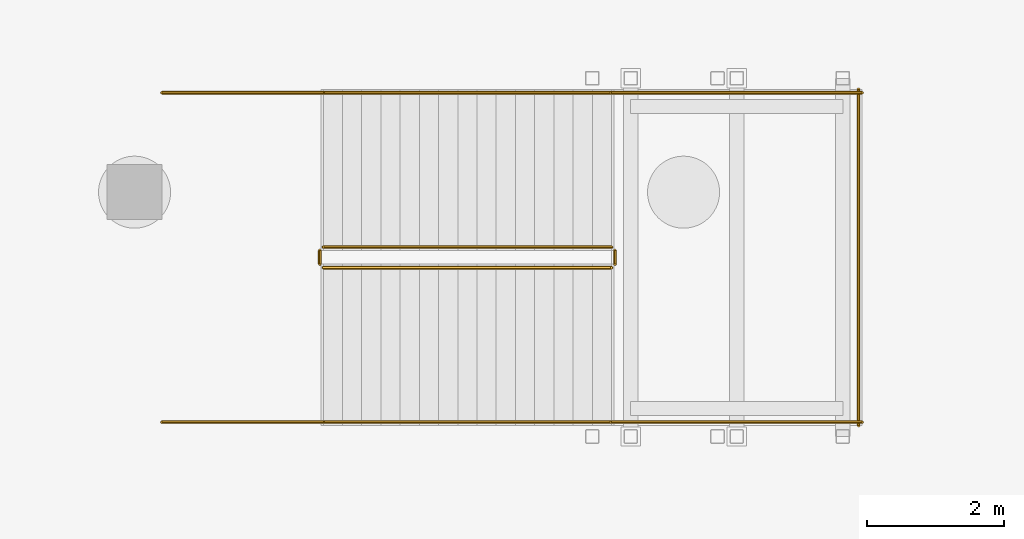
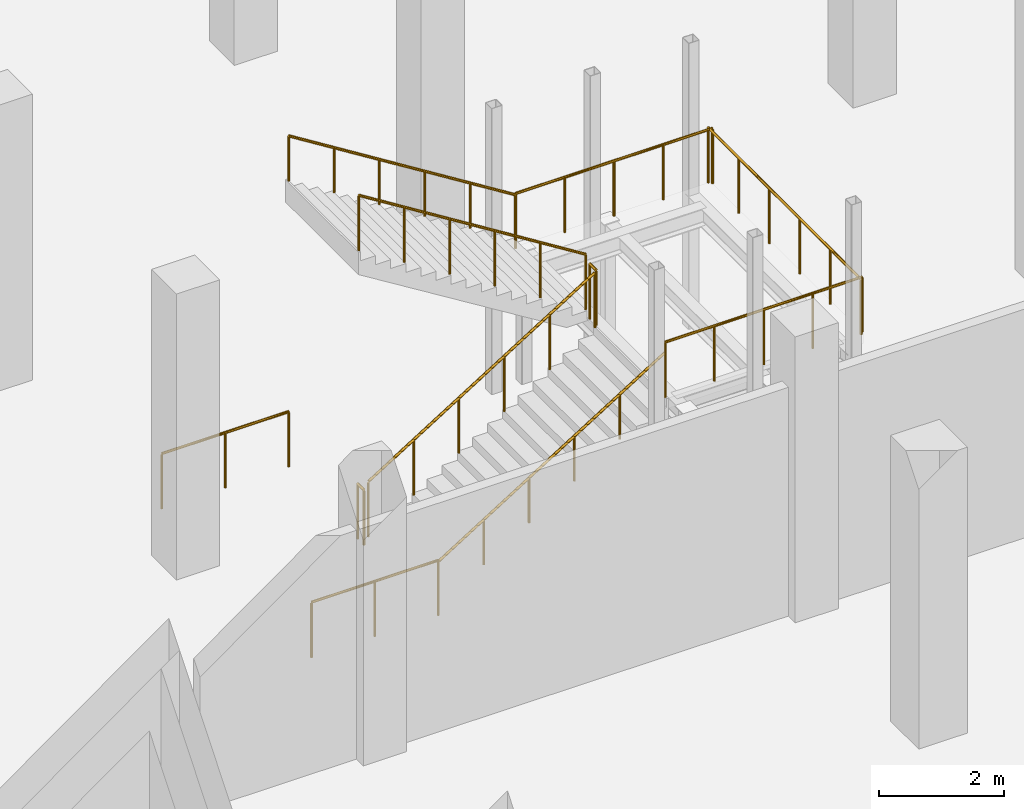
# One storey, part 21 of 26: 11 railings.
"""IFC4 building model written with IfcOpenShell, lengths in metres."""

from ifc_helpers import new_model, si_unit, direction, frame, origin, origin_2d, place, context, subcontext, project, spatial, circle, extrude, material, type_object, element, save


model = new_model("IFC4")

# Units and contexts
model_context = context("Model", 3, precision=1e-05, world=origin(), true_north=direction((0.0, 1.0)))
body_context = subcontext(model_context, "Body", "Model", "MODEL_VIEW")
ifc_project = project(units=[si_unit("LENGTHUNIT", "METRE"), si_unit("AREAUNIT", "SQUARE_METRE"), si_unit("VOLUMEUNIT", "CUBIC_METRE"), si_unit("PLANEANGLEUNIT", "RADIAN"), si_unit("MASSUNIT", "GRAM", prefix="KILO")], contexts=[model_context])

# Site, building, storey
site_placement = place(None, origin())
site = spatial("IfcSite", under=ifc_project, at=site_placement, CompositionType="ELEMENT")
building_placement = place(site_placement, origin())
building = spatial("IfcBuilding", under=site, at=building_placement, Name="Verrall Gate Interchange", CompositionType="ELEMENT")
storey_placement = place(building_placement, frame((0.0, 0.0, -10.39990234375)))
storey = spatial("IfcBuildingStorey", under=building, at=storey_placement, Name="B2", CompositionType="ELEMENT", Elevation=-10.39990234375)

# Railings
ifc_material_1 = material(Name="Brushed Stainless-Steel Guardrail and Handrail System", Category="steel")
railing_type_1 = type_object("IfcRailingType", Name="GR-02 Interior Atrium and Stair Guardrail 1100", PredefinedType="GUARDRAIL", material=ifc_material_1)
railing_1_placement = place(storey_placement, frame((54.75, 20.89990234375, 0.1748046875)))
element("IfcRailing", 1, at=railing_1_placement, inside=storey, type_object=railing_type_1, Name="B2 ST-10 stair guard 1", PredefinedType="GUARDRAIL", context=body_context, shape_type="SweptSolid", body=[
    extrude(circle(Radius=0.02392578125, at=origin_2d()), frame((0.0, 0.0, 1.076171875), z_axis=(0.847995534698, 0.0, 0.530003370869), x_axis=(0.0, 1.0, 0.0)), (0.0, 0.0, 1.0), 4.952880859375),
    extrude(circle(Radius=0.02099609375, at=origin_2d()), origin(), (0.0, 0.0, 1.0), 1.052001953125),
    extrude(circle(Radius=0.02099609375, at=origin_2d()), frame((0.840087890625, 0.0, 0.52490234375)), (0.0, 0.0, 1.0), 1.052001953125),
    extrude(circle(Radius=0.02099609375, at=origin_2d()), frame((1.679931640625, 0.0, 1.050048828125)), (0.0, 0.0, 1.0), 1.052001953125),
    extrude(circle(Radius=0.02099609375, at=origin_2d()), frame((2.52001953125, 0.0, 1.574951171875)), (0.0, 0.0, 1.0), 1.052001953125),
    extrude(circle(Radius=0.02099609375, at=origin_2d()), frame((3.35986328125, 0.0, 2.10009765625)), (0.0, 0.0, 1.0), 1.052001953125),
    extrude(circle(Radius=0.02099609375, at=origin_2d()), frame((4.199951171875, 0.0, 2.625)), (0.0, 0.0, 1.0), 1.052001953125),
])
railing_2_placement = place(storey_placement, frame((59.0, 20.949951171875, 2.7998046875)))
element("IfcRailing", 2, at=railing_2_placement, inside=storey, type_object=railing_type_1, Name="B2 ST-10 stair guard 2", PredefinedType="GUARDRAIL", context=body_context, shape_type="SweptSolid", body=[
    extrude(circle(Radius=0.02392578125, at=origin_2d()), frame((0.0, 0.0, 1.076171875), z_axis=(0.0, 1.0, 0.0), x_axis=(-1.0, 0.0, 0.0)), (0.0, 0.0, 1.0), 0.199951171875),
    extrude(circle(Radius=0.02099609375, at=origin_2d()), origin(), (0.0, 0.0, 1.0), 1.052001953125),
    extrude(circle(Radius=0.02099609375, at=origin_2d()), frame((0.0, 0.199951171875, 0.0)), (0.0, 0.0, 1.0), 1.052001953125),
])
for number, where, name in (
    (3, (58.949951171875, 18.64990234375, 2.7998046875), "B2 ST-10 stair guard 3"),
    (4, (58.949951171875, 23.449951171875, 2.7998046875), "B2 ST-10 stair guard 4"),
):
    element("IfcRailing", number, at=place(storey_placement, frame(where)), inside=storey, type_object=railing_type_1, Name=name, PredefinedType="GUARDRAIL", context=body_context, shape_type="SweptSolid", body=[
        extrude(circle(Radius=0.02392578125, at=origin_2d()), frame((0.0, 0.0, 1.076171875), z_axis=(1.0, 0.0, 0.0), x_axis=(0.0, 1.0, 0.0)), (0.0, 0.0, 1.0), 3.650146484375),
        extrude(circle(Radius=0.02099609375, at=origin_2d()), origin(), (0.0, 0.0, 1.0), 1.052001953125),
        extrude(circle(Radius=0.02099609375, at=origin_2d()), frame((0.91259765625, 0.0, 0.0)), (0.0, 0.0, 1.0), 1.052001953125),
        extrude(circle(Radius=0.02099609375, at=origin_2d()), frame((1.8251953125, 0.0, 0.0)), (0.0, 0.0, 1.0), 1.052001953125),
        extrude(circle(Radius=0.02099609375, at=origin_2d()), frame((2.737548828125, 0.0, 0.0)), (0.0, 0.0, 1.0), 1.052001953125),
        extrude(circle(Radius=0.02099609375, at=origin_2d()), frame((3.650146484375, 0.0, 0.0)), (0.0, 0.0, 1.0), 1.052001953125),
    ])
railing_3_placement = place(storey_placement, frame((62.550048828125, 18.60009765625, 2.7998046875)))
element("IfcRailing", 5, at=railing_3_placement, inside=storey, type_object=railing_type_1, Name="B2 ST-10 stair guard 5", PredefinedType="GUARDRAIL", context=body_context, shape_type="SweptSolid", body=[
    extrude(circle(Radius=0.02392578125, at=origin_2d()), frame((0.0, 0.0, 1.076171875), z_axis=(0.0, 1.0, 0.0), x_axis=(-1.0, 0.0, 0.0)), (0.0, 0.0, 1.0), 4.89990234375),
    extrude(circle(Radius=0.02099609375, at=origin_2d()), origin(), (0.0, 0.0, 1.0), 1.052001953125),
    extrude(circle(Radius=0.02099609375, at=origin_2d()), frame((0.0, 0.97998046875, 0.0)), (0.0, 0.0, 1.0), 1.052001953125),
    extrude(circle(Radius=0.02099609375, at=origin_2d()), frame((0.0, 1.9599609375, 0.0)), (0.0, 0.0, 1.0), 1.052001953125),
    extrude(circle(Radius=0.02099609375, at=origin_2d()), frame((0.0, 2.93994140625, 0.0)), (0.0, 0.0, 1.0), 1.052001953125),
    extrude(circle(Radius=0.02099609375, at=origin_2d()), frame((0.0, 3.919921875, 0.0)), (0.0, 0.0, 1.0), 1.052001953125),
    extrude(circle(Radius=0.02099609375, at=origin_2d()), frame((0.0, 4.89990234375, 0.0)), (0.0, 0.0, 1.0), 1.052001953125),
])
railing_4_placement = place(storey_placement, frame((58.949951171875, 21.199951171875, 2.974853515625)))
element("IfcRailing", 6, at=railing_4_placement, inside=storey, type_object=railing_type_1, Name="B2 ST-10 stair guard 6", PredefinedType="GUARDRAIL", context=body_context, shape_type="SweptSolid", body=[
    extrude(circle(Radius=0.02392578125, at=origin_2d()), frame((0.0, 0.0, 1.076171875), z_axis=(-0.847995534698, 0.0, 0.530003370869), x_axis=(0.0, -1.0, 0.0)), (0.0, 0.0, 1.0), 4.952880859375),
    extrude(circle(Radius=0.02099609375, at=origin_2d()), origin(), (0.0, 0.0, 1.0), 1.052001953125),
    extrude(circle(Radius=0.02099609375, at=origin_2d()), frame((-0.840087890625, 0.0, 0.52490234375)), (0.0, 0.0, 1.0), 1.052001953125),
    extrude(circle(Radius=0.02099609375, at=origin_2d()), frame((-1.679931640625, 0.0, 1.050048828125)), (0.0, 0.0, 1.0), 1.052001953125),
    extrude(circle(Radius=0.02099609375, at=origin_2d()), frame((-2.52001953125, 0.0, 1.574951171875)), (0.0, 0.0, 1.0), 1.052001953125),
    extrude(circle(Radius=0.02099609375, at=origin_2d()), frame((-3.35986328125, 0.0, 2.10009765625)), (0.0, 0.0, 1.0), 1.052001953125),
    extrude(circle(Radius=0.02099609375, at=origin_2d()), frame((-4.199951171875, 0.0, 2.625)), (0.0, 0.0, 1.0), 1.052001953125),
])
railing_5_placement = place(storey_placement, frame((54.699951171875, 20.949951171875, 0.0)))
element("IfcRailing", 7, at=railing_5_placement, inside=storey, type_object=railing_type_1, Name="B2 ST-10 stair guard 7", PredefinedType="GUARDRAIL", context=body_context, shape_type="SweptSolid", body=[
    extrude(circle(Radius=0.02392578125, at=origin_2d()), frame((0.0, 0.0, 1.076171875), z_axis=(0.0, 1.0, 0.0), x_axis=(-1.0, 0.0, 0.0)), (0.0, 0.0, 1.0), 0.199951171875),
    extrude(circle(Radius=0.02099609375, at=origin_2d()), origin(), (0.0, 0.0, 1.0), 1.052001953125),
    extrude(circle(Radius=0.02099609375, at=origin_2d()), frame((0.0, 0.199951171875, 0.0)), (0.0, 0.0, 1.0), 1.052001953125),
])
for number, where, name in (
    (8, (52.39990234375, 18.64990234375, 0.0), "B2 ST-10 stair guard 8"),
    (9, (52.39990234375, 23.449951171875, 0.0), "B2 ST-10 stair guard 9"),
):
    element("IfcRailing", number, at=place(storey_placement, frame(where)), inside=storey, type_object=railing_type_1, Name=name, PredefinedType="GUARDRAIL", context=body_context, shape_type="SweptSolid", body=[
        extrude(circle(Radius=0.02392578125, at=origin_2d()), frame((0.0, 0.0, 1.076171875), z_axis=(1.0, 0.0, 0.0), x_axis=(0.0, 1.0, 0.0)), (0.0, 0.0, 1.0), 2.35009765625),
        extrude(circle(Radius=0.02099609375, at=origin_2d()), origin(), (0.0, 0.0, 1.0), 1.052001953125),
        extrude(circle(Radius=0.02099609375, at=origin_2d()), frame((1.175048828125, 0.0, 0.0)), (0.0, 0.0, 1.0), 1.052001953125),
        extrude(circle(Radius=0.02099609375, at=origin_2d()), frame((2.35009765625, 0.0, 0.0)), (0.0, 0.0, 1.0), 1.052001953125),
    ])
ifc_material_2 = material(Name="Brushed Stainless-Steel Guardrail and Handrail System", Category="steel")
railing_type_2 = type_object("IfcRailingType", Name="HR-01 Stair and Ramp Pitch-Line Handrail 920", PredefinedType="HANDRAIL", material=ifc_material_2)
railing_6_placement = place(storey_placement, frame((54.75, 18.64990234375, 0.1748046875)))
element("IfcRailing", 10, at=railing_6_placement, inside=storey, type_object=railing_type_2, Name="B2 ST-10 stair handrail 1", PredefinedType="HANDRAIL", context=body_context, shape_type="SweptSolid", body=[
    extrude(circle(Radius=0.02392578125, at=origin_2d()), frame((0.0, 0.0, 0.8759765625), z_axis=(0.847995534698, 0.0, 0.530003370869), x_axis=(0.0, 1.0, 0.0)), (0.0, 0.0, 1.0), 4.952880859375),
    extrude(circle(Radius=0.02099609375, at=origin_2d()), origin(), (0.0, 0.0, 1.0), 0.851806640625),
    extrude(circle(Radius=0.02099609375, at=origin_2d()), frame((0.840087890625, 0.0, 0.52490234375)), (0.0, 0.0, 1.0), 0.851806640625),
    extrude(circle(Radius=0.02099609375, at=origin_2d()), frame((1.679931640625, 0.0, 1.050048828125)), (0.0, 0.0, 1.0), 0.851806640625),
    extrude(circle(Radius=0.02099609375, at=origin_2d()), frame((2.52001953125, 0.0, 1.574951171875)), (0.0, 0.0, 1.0), 0.851806640625),
    extrude(circle(Radius=0.02099609375, at=origin_2d()), frame((3.35986328125, 0.0, 2.10009765625)), (0.0, 0.0, 1.0), 0.851806640625),
    extrude(circle(Radius=0.02099609375, at=origin_2d()), frame((4.199951171875, 0.0, 2.625)), (0.0, 0.0, 1.0), 0.851806640625),
])
railing_7_placement = place(storey_placement, frame((58.949951171875, 23.449951171875, 2.974853515625)))
element("IfcRailing", 11, at=railing_7_placement, inside=storey, type_object=railing_type_2, Name="B2 ST-10 stair handrail 2", PredefinedType="HANDRAIL", context=body_context, shape_type="SweptSolid", body=[
    extrude(circle(Radius=0.02392578125, at=origin_2d()), frame((0.0, 0.0, 0.8759765625), z_axis=(-0.847995534698, 0.0, 0.530003370869), x_axis=(0.0, -1.0, 0.0)), (0.0, 0.0, 1.0), 4.952880859375),
    extrude(circle(Radius=0.02099609375, at=origin_2d()), origin(), (0.0, 0.0, 1.0), 0.851806640625),
    extrude(circle(Radius=0.02099609375, at=origin_2d()), frame((-0.840087890625, 0.0, 0.52490234375)), (0.0, 0.0, 1.0), 0.851806640625),
    extrude(circle(Radius=0.02099609375, at=origin_2d()), frame((-1.679931640625, 0.0, 1.050048828125)), (0.0, 0.0, 1.0), 0.851806640625),
    extrude(circle(Radius=0.02099609375, at=origin_2d()), frame((-2.52001953125, 0.0, 1.574951171875)), (0.0, 0.0, 1.0), 0.851806640625),
    extrude(circle(Radius=0.02099609375, at=origin_2d()), frame((-3.35986328125, 0.0, 2.10009765625)), (0.0, 0.0, 1.0), 0.851806640625),
    extrude(circle(Radius=0.02099609375, at=origin_2d()), frame((-4.199951171875, 0.0, 2.625)), (0.0, 0.0, 1.0), 0.851806640625),
])

save(model, "model.ifc")
